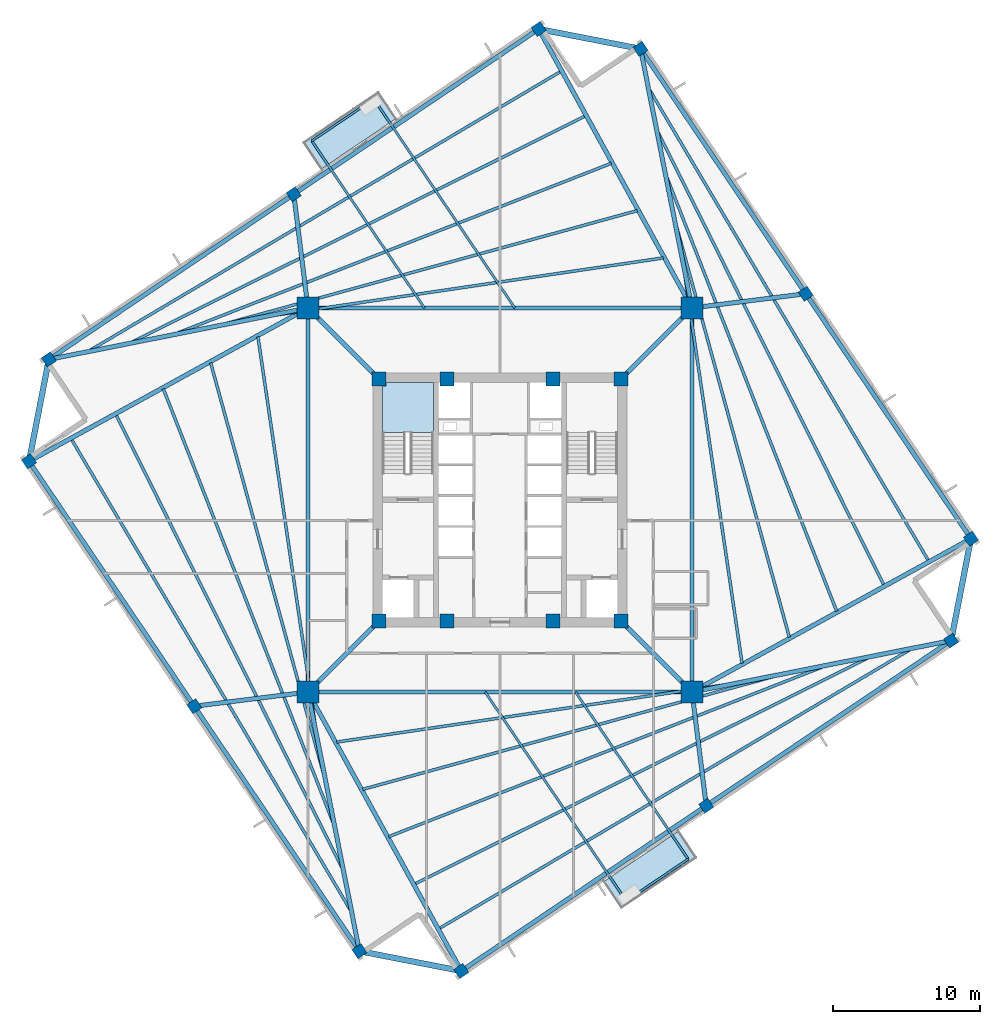
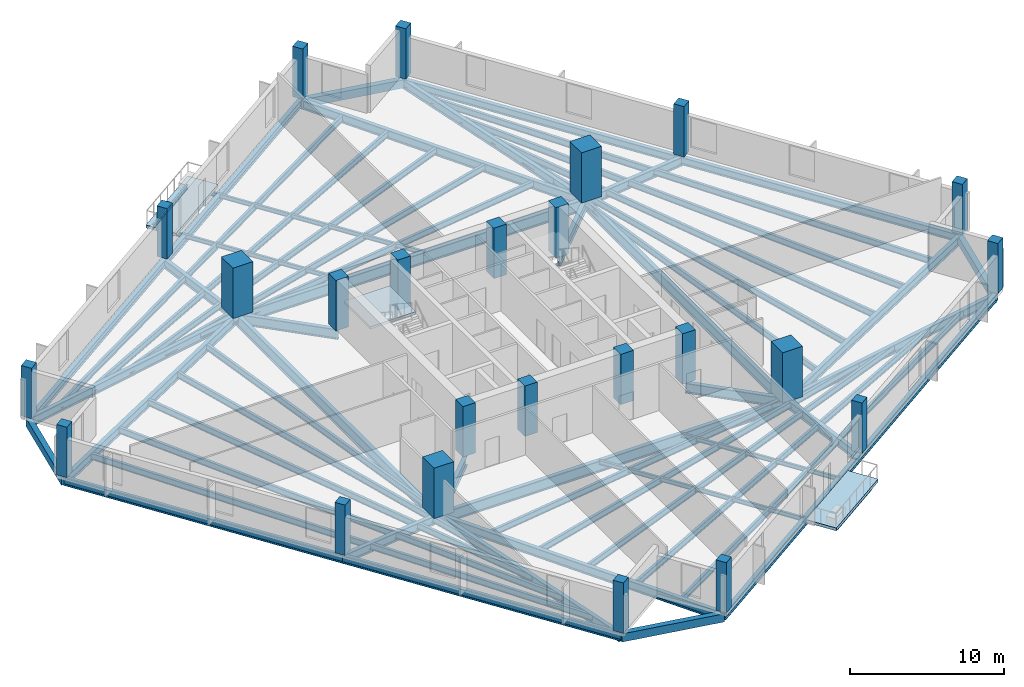
# One storey, part 1 of 8: 58 beams, 24 columns, 3 slabs, 1 element without a shape of its own.
"""IFC4 building model written with IfcOpenShell, lengths in metres."""

import ifcopenshell
import ifcopenshell.guid

model = None  # the IFC model being written
_history = None  # IfcOwnerHistory: only IFC2X3 demands one
_inside = {}  # id of a spatial element -> (the spatial element, [elements in it])
_under = {}  # id of a project, library or spatial element -> (it, [spatial elements below it])
_declared = {}  # id of a project -> (the project, [libraries it declares])
_typed = {}  # id of a type object -> (the type object, [elements of that type])
_made_of = {}  # id of a material, layer set ... -> (it, [elements and type objects made of it])


def new_model(schema):
    """Start an empty IFC model of exactly this schema.

    Asked for "IFC4X3", IfcOpenShell would pick the latest addendum, in which some entities
    have other attributes; the version numbers below select the first issue.
    IFC2X3 requires an IfcOwnerHistory on every rooted entity: one is made here for all.
    """
    global model, _history
    if schema == "IFC4X3":
        model = ifcopenshell.file(schema_version=(4, 3, 0, 0))
    else:
        model = ifcopenshell.file(schema=schema)
    _inside.clear()
    _under.clear()
    _declared.clear()
    _typed.clear()
    _made_of.clear()
    _history = None
    if model.schema == "IFC2X3":
        org = make("IfcOrganization", Name="unknown")
        user = make(
            "IfcPersonAndOrganization",
            ThePerson=make("IfcPerson", FamilyName="unknown"),
            TheOrganization=org,
        )
        app = make(
            "IfcApplication",
            ApplicationDeveloper=org,
            Version="unknown",
            ApplicationFullName="unknown",
            ApplicationIdentifier="unknown",
        )
        _history = make(
            "IfcOwnerHistory",
            OwningUser=user,
            OwningApplication=app,
            ChangeAction="ADDED",
            CreationDate=0,
        )
    return model


def make(cls, **values):
    """One entity of the class cls with the attributes given. An attribute that is None is left unset."""
    return model.create_entity(
        cls, **{name: value for name, value in values.items() if value is not None}
    )


def rooted(cls, **values):
    """An entity with a GlobalId (a new one), such as an element, a storey or a relation."""
    return make(cls, GlobalId=ifcopenshell.guid.new(), OwnerHistory=_history, **values)


def si_unit(unit_type, name, prefix=None):
    """IfcSIUnit, for example si_unit("LENGTHUNIT", "METRE", prefix="MILLI")."""
    return make("IfcSIUnit", UnitType=unit_type, Prefix=prefix, Name=name)


def assignment(units):
    """IfcUnitAssignment: the units of a project."""
    return None if units is None else make("IfcUnitAssignment", Units=units)


def point(xyz):
    """IfcCartesianPoint."""
    return None if xyz is None else make("IfcCartesianPoint", Coordinates=xyz)


def direction(xyz):
    """IfcDirection."""
    return None if xyz is None else make("IfcDirection", DirectionRatios=xyz)


def frame(location, z_axis=None, x_axis=None):
    """IfcAxis2Placement3D, a coordinate frame: its origin and axes. An axis left out is left unset."""
    return make(
        "IfcAxis2Placement3D",
        Location=point(location),
        Axis=direction(z_axis),
        RefDirection=direction(x_axis),
    )


def frame_2d(location, x_axis=None):
    """IfcAxis2Placement2D, a coordinate frame in the plane: its origin and x axis."""
    return make(
        "IfcAxis2Placement2D", Location=point(location), RefDirection=direction(x_axis)
    )


def origin():
    """The frame at (0, 0, 0) with its axes left unset."""
    return frame((0.0, 0.0, 0.0))


def origin_2d():
    """The frame at (0, 0) in the plane with its x axis left unset."""
    return frame_2d((0.0, 0.0))


def place(relative_to, where):
    """IfcLocalPlacement: puts the frame where relative to a parent placement (None: the world)."""
    return make(
        "IfcLocalPlacement", PlacementRelTo=relative_to, RelativePlacement=where
    )


def context(
    kind, dimensions, precision=None, world=None, true_north=None, identifier=None
):
    """IfcGeometricRepresentationContext, for example the 3D "Model" context."""
    return make(
        "IfcGeometricRepresentationContext",
        ContextIdentifier=identifier,
        ContextType=kind,
        CoordinateSpaceDimension=dimensions,
        Precision=precision,
        WorldCoordinateSystem=world,
        TrueNorth=true_north,
    )


def subcontext(parent, identifier, kind, view, scale=None):
    """IfcGeometricRepresentationSubContext, for example "Body" below "Model"."""
    return make(
        "IfcGeometricRepresentationSubContext",
        ContextIdentifier=identifier,
        ContextType=kind,
        ParentContext=parent,
        TargetScale=scale,
        TargetView=view,
    )


def project(units=None, contexts=None):
    """IfcProject with its units and contexts."""
    return rooted(
        "IfcProject",
        Name="project",
        RepresentationContexts=contexts,
        UnitsInContext=assignment(units),
    )


def spatial(cls, under=None, at=None, **own):
    """A site, building, storey or space (cls), placed at a placement, below another one or the project."""
    s = rooted(cls, ObjectPlacement=at, **own)
    if under is not None:
        _under.setdefault(under.id(), (under, []))[1].append(s)
    return s


def polyline(points):
    """IfcPolyline through the points."""
    return make("IfcPolyline", Points=[point(p) for p in points])


def profile(cls, at=None, kind="AREA", **sizes):
    """A parametric profile (cls). Its sizes go by their IFC names, for example OverallWidth=200.0."""
    return make(cls, ProfileType=kind, Position=at, **sizes)


def rectangle(**sizes):
    """IfcRectangleProfileDef."""
    return profile("IfcRectangleProfileDef", **sizes)


def i_section(**sizes):
    """IfcIShapeProfileDef."""
    return profile("IfcIShapeProfileDef", **sizes)


def outline(outer, holes=None, kind="AREA"):
    """IfcArbitraryClosedProfileDef: a profile drawn as a closed curve; with holes, ...WithVoids."""
    if holes is None:
        return make("IfcArbitraryClosedProfileDef", ProfileType=kind, OuterCurve=outer)
    return make(
        "IfcArbitraryProfileDefWithVoids",
        ProfileType=kind,
        OuterCurve=outer,
        InnerCurves=holes,
    )


def extrude(swept, where, along, depth):
    """IfcExtrudedAreaSolid: the profile swept, set in the frame where, extruded along a direction by depth."""
    return make(
        "IfcExtrudedAreaSolid",
        SweptArea=swept,
        Position=where,
        ExtrudedDirection=direction(along),
        Depth=depth,
    )


def shape(context_of_items, identifier, shape_type, items):
    """IfcShapeRepresentation: the items that make up one representation, for example the "Body"."""
    return make(
        "IfcShapeRepresentation",
        ContextOfItems=context_of_items,
        RepresentationIdentifier=identifier,
        RepresentationType=shape_type,
        Items=items,
    )


def source(mapping_origin, context_of_items, identifier, shape_type, items):
    """IfcRepresentationMap: a shape defined once, which mapped items show again and again."""
    return make(
        "IfcRepresentationMap",
        MappingOrigin=mapping_origin,
        MappedRepresentation=shape(context_of_items, identifier, shape_type, items),
    )


def transform(
    local_origin,
    x_axis=None,
    y_axis=None,
    z_axis=None,
    scale=None,
    scale2=None,
    scale3=None,
    uniform=True,
):
    """IfcCartesianTransformationOperator3D, or its non-uniform kind. x_axis, y_axis, z_axis: its Axis1, 2, 3."""
    if uniform:
        return make(
            "IfcCartesianTransformationOperator3D",
            Axis1=direction(x_axis),
            Axis2=direction(y_axis),
            LocalOrigin=point(local_origin),
            Scale=scale,
            Axis3=direction(z_axis),
        )
    return make(
        "IfcCartesianTransformationOperator3DnonUniform",
        Axis1=direction(x_axis),
        Axis2=direction(y_axis),
        LocalOrigin=point(local_origin),
        Scale=scale,
        Axis3=direction(z_axis),
        Scale2=scale2,
        Scale3=scale3,
    )


def mapped(mapping_source, mapping_target):
    """IfcMappedItem: shows the shape of a source again, moved by a transform."""
    return make(
        "IfcMappedItem", MappingSource=mapping_source, MappingTarget=mapping_target
    )


def material(Name=None, Category=None):
    """IfcMaterial."""
    return make("IfcMaterial", Name=Name, Category=Category)


def layer(
    of_material, thickness, ventilated=None, Name=None, Category=None, Priority=None
):
    """IfcMaterialLayer: one layer of a wall or slab, of a material (None: an air gap)."""
    return make(
        "IfcMaterialLayer",
        Material=of_material,
        LayerThickness=thickness,
        IsVentilated=ventilated,
        Name=Name,
        Category=Category,
        Priority=Priority,
    )


def layer_set(layers, Name=None):
    """IfcMaterialLayerSet."""
    return make("IfcMaterialLayerSet", MaterialLayers=layers, LayerSetName=Name)


def material_profile(
    of_material, cross_section, Name=None, Category=None, Priority=None
):
    """IfcMaterialProfile: a cross section and its material."""
    return make(
        "IfcMaterialProfile",
        Name=Name,
        Material=of_material,
        Profile=cross_section,
        Priority=Priority,
        Category=Category,
    )


def profile_set(profiles, Name=None, composite=None):
    """IfcMaterialProfileSet."""
    return make(
        "IfcMaterialProfileSet",
        Name=Name,
        MaterialProfiles=profiles,
        CompositeProfile=composite,
    )


def made_of(thing, what):
    """Note that an element or type object is made of a material, layer set ...; save() writes the relation."""
    if what is not None:
        _made_of.setdefault(what.id(), (what, []))[1].append(thing)
    return thing


def type_object(cls, material=None, **own):
    """A type object (cls), such as IfcWallType, which elements share."""
    return made_of(rooted(cls, **own), material)


def element(
    cls,
    number,
    at=None,
    inside=None,
    cuts=None,
    type_object=None,
    material=None,
    context=None,
    identifier="Body",
    shape_type=None,
    held_by="IfcProductDefinitionShape",
    body=None,
    shapes=None,
    **own,
):
    """One element of the class cls, such as IfcWall. Its Tag is "e" and its number.

    at: its placement. inside: the storey or other place that contains it. cuts: it is an
    opening in that element (IfcRelVoidsElement). A single representation is given by context,
    identifier, shape_type and body (its items); several are given by shapes. held_by: the class
    of the entity that holds the representations. save() writes the other relations.
    """
    e = rooted(cls, Tag="e%d" % number, ObjectPlacement=at, **own)
    if body is not None:
        shapes = [shape(context, identifier, shape_type, body)]
    if shapes is not None:
        e.Representation = make(held_by, Representations=shapes)
    if inside is not None:
        _inside.setdefault(inside.id(), (inside, []))[1].append(e)
    if cuts is not None:
        rooted(
            "IfcRelVoidsElement", RelatingBuildingElement=cuts, RelatedOpeningElement=e
        )
    if type_object is not None:
        _typed.setdefault(type_object.id(), (type_object, []))[1].append(e)
    return made_of(e, material)


def aggregate(whole, parts):
    """IfcRelAggregates: a whole, such as a stair, and the parts it consists of."""
    return rooted("IfcRelAggregates", RelatingObject=whole, RelatedObjects=parts)


def save(model, path):
    """Write the relations noted so far, then the file.

    IfcRelAggregates (storeys below a building ...), IfcRelContainedInSpatialStructure (elements
    in a storey), IfcRelDefinesByType, IfcRelAssociatesMaterial and IfcRelDeclares: one each for
    every whole, place, type object, material and project.
    """
    for whole, parts in _under.values():
        aggregate(whole, parts)
    for where, things in _inside.values():
        rooted(
            "IfcRelContainedInSpatialStructure",
            RelatedElements=things,
            RelatingStructure=where,
        )
    for kind, things in _typed.values():
        rooted("IfcRelDefinesByType", RelatedObjects=things, RelatingType=kind)
    for what, things in _made_of.values():
        rooted("IfcRelAssociatesMaterial", RelatedObjects=things, RelatingMaterial=what)
    for by, libraries in _declared.values():
        rooted("IfcRelDeclares", RelatingContext=by, RelatedDefinitions=libraries)
    model.write(path)


model = new_model("IFC4")

# Units and contexts
model_context = context("Model", 3, precision=1e-05, world=origin(), true_north=direction((0.0, 1.0)))
body_context = subcontext(model_context, "Body", "Model", "MODEL_VIEW")
ifc_project = project(units=[si_unit("LENGTHUNIT", "METRE"), si_unit("AREAUNIT", "SQUARE_METRE"), si_unit("VOLUMEUNIT", "CUBIC_METRE"), si_unit("PLANEANGLEUNIT", "RADIAN"), si_unit("MASSUNIT", "GRAM", prefix="KILO"), si_unit("THERMODYNAMICTEMPERATUREUNIT", "KELVIN")], contexts=[model_context])

# Site, building, storey
site_placement = place(None, origin())
site = spatial("IfcSite", under=ifc_project, at=site_placement, CompositionType="ELEMENT")
building_placement = place(site_placement, origin())
building = spatial("IfcBuilding", under=site, at=building_placement, Name="Kosmvard Interchange Tower", CompositionType="ELEMENT")
storey_placement = place(building_placement, frame((0.0, 0.0, 152.39990234375)))
storey = spatial("IfcBuildingStorey", under=building, at=storey_placement, Name="L36", CompositionType="ELEMENT", Elevation=152.39990234375)

# Columns
ifc_material_1 = material(Name="Concrete C60/75", Category="concrete")
ifc_material_profile_1 = material_profile(ifc_material_1, rectangle(XDim=0.949951171875, YDim=0.949951171875, at=origin_2d()), Name="CP 950x950")
ifc_profile_set_1 = profile_set([ifc_material_profile_1], Name="Concrete C60/75")
column_type_1 = type_object("IfcColumnType", Name="Core Boundary Pilaster 950x950 C60/75", PredefinedType="PILASTER", material=ifc_profile_set_1)
shared_shape_1 = source(origin(), body_context, "Body", "SweptSolid", [
    extrude(rectangle(XDim=0.949951171875, YDim=0.949951171875, at=origin_2d()), origin(), (0.0, 0.0, 1.0), 4.0),
])
for number, where, z_axis, x_axis, name in (
    (1, (-8.25, -8.25, 0.0), (0.0, 0.0, 1.0), (1.0, 0.0, 0.0), "L36 Core Pilaster CP1"),
    (2, (8.25, -8.25, 0.0), (0.0, 0.0, 1.0), (1.0, 0.0, 0.0), "L36 Core Pilaster CP2"),
    (3, (8.25, 8.25, 0.0), (0.0, 0.0, 1.0), (1.0, 0.0, 0.0), "L36 Core Pilaster CP3"),
    (4, (-8.25, 8.25, 0.0), (0.0, 0.0, 1.0), (1.0, 0.0, 0.0), "L36 Core Pilaster CP4"),
    (5, (-3.60009765625, -8.25, 0.0), (0.0, 0.0, 1.0), (1.0, 0.0, 0.0), "L36 Core Pilaster CP5"),
    (6, (3.60009765625, -8.25, 0.0), (0.0, 0.0, 1.0), (1.0, 0.0, 0.0), "L36 Core Pilaster CP6"),
    (7, (-3.60009765625, 8.25, 0.0), (0.0, 0.0, 1.0), (1.0, 0.0, 0.0), "L36 Core Pilaster CP7"),
    (8, (3.60009765625, 8.25, 0.0), (0.0, 0.0, 1.0), (1.0, 0.0, 0.0), "L36 Core Pilaster CP8"),
):
    element("IfcColumn", number, at=place(storey_placement, frame(where, z_axis=z_axis, x_axis=x_axis)), inside=storey, type_object=column_type_1, Name=name, PredefinedType="PILASTER", context=body_context, shape_type="MappedRepresentation", body=[
        mapped(shared_shape_1, transform((0.0, 0.0, 0.0), scale=1.0)),
    ])
ifc_material_profile_2 = material_profile(ifc_material_1, rectangle(XDim=1.5, YDim=1.5, at=origin_2d()), Name="MC 1500x1500")
ifc_profile_set_2 = profile_set([ifc_material_profile_2], Name="Concrete C60/75")
column_type_2 = type_object("IfcColumnType", Name="Composite Mega-Column 1500x1500 C60/75", PredefinedType="COLUMN", material=ifc_profile_set_2)
shared_shape_2 = source(origin(), body_context, "Body", "SweptSolid", [
    extrude(rectangle(XDim=1.5, YDim=1.5, at=origin_2d()), origin(), (0.0, 0.0, 1.0), 4.0),
])
for number, where, z_axis, x_axis, name in (
    (9, (-13.0810546875, -13.0810546875, 0.0), (0.0, 0.0, 1.0), (1.0, 0.0, 0.0), "L36 Corner Mega-Column MC1"),
    (10, (13.0810546875, -13.0810546875, 0.0), (0.0, 0.0, 1.0), (1.0, 0.0, 0.0), "L36 Corner Mega-Column MC2"),
    (11, (13.0810546875, 13.0810546875, 0.0), (0.0, 0.0, 1.0), (1.0, 0.0, 0.0), "L36 Corner Mega-Column MC3"),
    (12, (-13.0810546875, 13.0810546875, 0.0), (0.0, 0.0, 1.0), (1.0, 0.0, 0.0), "L36 Corner Mega-Column MC4"),
):
    element("IfcColumn", number, at=place(storey_placement, frame(where, z_axis=z_axis, x_axis=x_axis)), inside=storey, type_object=column_type_2, Name=name, PredefinedType="COLUMN", context=body_context, shape_type="MappedRepresentation", body=[
        mapped(shared_shape_2, transform((0.0, 0.0, 0.0), scale=1.0)),
    ])
ifc_material_2 = material(Name="Concrete C50/60", Category="concrete")
ifc_material_profile_3 = material_profile(ifc_material_2, rectangle(XDim=0.75, YDim=0.75, at=origin_2d()), Name="TC 750x750")
ifc_profile_set_3 = profile_set([ifc_material_profile_3], Name="Concrete C50/60")
column_type_3 = type_object("IfcColumnType", Name="Zone 3 Perimeter Pier Column 750x750 C50/60", PredefinedType="COLUMN", material=ifc_profile_set_3)
shared_shape_3 = source(origin(), body_context, "Body", "SweptSolid", [
    extrude(rectangle(XDim=0.75, YDim=0.75, at=origin_2d()), origin(), (0.0, 0.0, 1.0), 4.0),
])
for number, where, z_axis, x_axis, name in (
    (13, (-2.634765625, -32.083251953125, 0.0), (0.0, 0.0, 1.0), (0.829037572555, 0.559192903471, 0.0), "L36 Perimeter Pier Column TC-S1"),
    (14, (14.0498046875, -20.82958984375, 0.0), (0.0, 0.0, 1.0), (0.829037572555, 0.559192903471, 0.0), "L36 Perimeter Pier Column TC-S2"),
    (15, (30.734130859375, -9.575927734375, 0.0), (0.0, 0.0, 1.0), (0.829037572555, 0.559192903471, 0.0), "L36 Perimeter Pier Column TC-S3"),
    (16, (32.083251953125, -2.634765625, 0.0), (0.0, 0.0, 1.0), (0.829037572555, 0.559192903471, 0.0), "L36 Perimeter Pier Column TC-E1"),
    (17, (20.82958984375, 14.0498046875, 0.0), (0.0, 0.0, 1.0), (0.829037572555, 0.559192903471, 0.0), "L36 Perimeter Pier Column TC-E2"),
    (18, (9.575927734375, 30.734130859375, 0.0), (0.0, 0.0, 1.0), (0.829037572555, 0.559192903471, 0.0), "L36 Perimeter Pier Column TC-E3"),
    (19, (2.634765625, 32.083251953125, 0.0), (0.0, 0.0, 1.0), (0.829037572555, 0.559192903471, 0.0), "L36 Perimeter Pier Column TC-N1"),
    (20, (-14.0498046875, 20.82958984375, 0.0), (0.0, 0.0, 1.0), (0.829037572555, 0.559192903471, 0.0), "L36 Perimeter Pier Column TC-N2"),
    (21, (-30.734130859375, 9.575927734375, 0.0), (0.0, 0.0, 1.0), (0.829037572555, 0.559192903471, 0.0), "L36 Perimeter Pier Column TC-N3"),
    (22, (-32.083251953125, 2.634765625, 0.0), (0.0, 0.0, 1.0), (0.829037572555, 0.559192903471, 0.0), "L36 Perimeter Pier Column TC-W1"),
    (23, (-20.82958984375, -14.0498046875, 0.0), (0.0, 0.0, 1.0), (0.829037572555, 0.559192903471, 0.0), "L36 Perimeter Pier Column TC-W2"),
    (24, (-9.575927734375, -30.734130859375, 0.0), (0.0, 0.0, 1.0), (0.829037572555, 0.559192903471, 0.0), "L36 Perimeter Pier Column TC-W3"),
):
    element("IfcColumn", number, at=place(storey_placement, frame(where, z_axis=z_axis, x_axis=x_axis)), inside=storey, type_object=column_type_3, Name=name, PredefinedType="COLUMN", context=body_context, shape_type="MappedRepresentation", body=[
        mapped(shared_shape_3, transform((0.0, 0.0, 0.0), scale=1.0)),
    ])

# Beams
ifc_material_3 = material(Name="Steel S355", Category="steel")
ifc_material_profile_4 = material_profile(ifc_material_3, i_section(OverallWidth=0.14990234375, OverallDepth=0.300048828125, WebThickness=0.007080078125, FlangeThickness=0.0107421875, FilletRadius=0.014892578125, at=origin_2d()), Name="IPE 300")
ifc_profile_set_4 = profile_set([ifc_material_profile_4], Name="Steel S355")
beam_type_1 = type_object("IfcBeamType", Name="Balcony Edge Header Joist IPE 300 S355", PredefinedType="JOIST", material=ifc_profile_set_4)
shared_shape_4 = source(origin(), body_context, "Body", "SweptSolid", [
    extrude(i_section(OverallWidth=0.14990234375, OverallDepth=0.300048828125, WebThickness=0.007080078125, FlangeThickness=0.0107421875, FilletRadius=0.014892578125, at=origin_2d()), origin(), (0.0, 0.0, 1.0), 5.099853515625),
])
for number, where, z_axis, x_axis, name in (
    (25, (-8.59326171875, 27.314453125, -0.409912109375), (-0.82904064614, -0.559188346666, 0.0), (0.559188346666, -0.82904064614, 0.0), "BM-L36-BJH1"),
    (26, (8.59326171875, -27.314453125, -0.409912109375), (0.82904064614, 0.559188346666, 0.0), (-0.559188346666, 0.82904064614, 0.0), "BM-L36-BJH2"),
):
    element("IfcBeam", number, at=place(storey_placement, frame(where, z_axis=z_axis, x_axis=x_axis)), inside=storey, type_object=beam_type_1, Name=name, PredefinedType="JOIST", context=body_context, shape_type="MappedRepresentation", body=[
        mapped(shared_shape_4, transform((0.0, 0.0, 0.0), scale=1.0)),
    ])
ifc_material_profile_5 = material_profile(ifc_material_3, i_section(OverallWidth=0.300048828125, OverallDepth=0.800048828125, WebThickness=0.017578125, FlangeThickness=0.032958984375, FilletRadius=0.027099609375, at=origin_2d()), Name="HEB 800")
ifc_profile_set_5 = profile_set([ifc_material_profile_5], Name="Steel S355")
beam_type_2 = type_object("IfcBeamType", Name="Primary Mega-Frame Girder HEB 800 S355", PredefinedType="BEAM", material=ifc_profile_set_5)
shared_shape_5 = source(origin(), body_context, "Body", "SweptSolid", [
    extrude(i_section(OverallWidth=0.300048828125, OverallDepth=0.800048828125, WebThickness=0.017578125, FlangeThickness=0.032958984375, FilletRadius=0.027099609375, at=origin_2d()), origin(), (0.0, 0.0, 1.0), 6.83203125),
])
for number, where, z_axis, x_axis, name in (
    (27, (-8.25, -8.25, -0.659912109375), (-0.707106781187, -0.707106781187, 0.0), (0.707106781187, -0.707106781187, 0.0), "L36 Radial Mega-Frame Girder 1"),
    (28, (8.25, -8.25, -0.659912109375), (0.707106781187, -0.707106781187, 0.0), (0.707106781187, 0.707106781187, 0.0), "L36 Radial Mega-Frame Girder 2"),
    (29, (8.25, 8.25, -0.659912109375), (0.707106781187, 0.707106781187, 0.0), (-0.707106781187, 0.707106781187, 0.0), "L36 Radial Mega-Frame Girder 3"),
    (30, (-8.25, 8.25, -0.659912109375), (-0.707106781187, 0.707106781187, 0.0), (-0.707106781187, -0.707106781187, 0.0), "L36 Radial Mega-Frame Girder 4"),
):
    element("IfcBeam", number, at=place(storey_placement, frame(where, z_axis=z_axis, x_axis=x_axis)), inside=storey, type_object=beam_type_2, Name=name, PredefinedType="BEAM", context=body_context, shape_type="MappedRepresentation", body=[
        mapped(shared_shape_5, transform((0.0, 0.0, 0.0), scale=1.0)),
    ])
ifc_material_profile_6 = material_profile(ifc_material_3, i_section(OverallWidth=0.300048828125, OverallDepth=0.89990234375, WebThickness=0.0185546875, FlangeThickness=0.034912109375, FilletRadius=0.030029296875, at=origin_2d()), Name="HEB 900")
ifc_profile_set_6 = profile_set([ifc_material_profile_6], Name="Steel S355")
beam_type_3 = type_object("IfcBeamType", Name="Mega-Column Ring Girder HEB 900 S355", PredefinedType="BEAM", material=ifc_profile_set_6)
shared_shape_6 = source(origin(), body_context, "Body", "SweptSolid", [
    extrude(i_section(OverallWidth=0.300048828125, OverallDepth=0.89990234375, WebThickness=0.0185546875, FlangeThickness=0.034912109375, FilletRadius=0.030029296875, at=origin_2d()), origin(), (0.0, 0.0, 1.0), 26.162109375),
])
for number, where, z_axis, x_axis, name in (
    (31, (-13.0810546875, -13.0810546875, -0.7099609375), (1.0, 0.0, 0.0), (0.0, 1.0, 0.0), "L36 Mega-Column Ring Girder 1"),
    (32, (13.0810546875, -13.0810546875, -0.7099609375), (0.0, 1.0, 0.0), (-1.0, 0.0, 0.0), "L36 Mega-Column Ring Girder 2"),
    (33, (13.0810546875, 13.0810546875, -0.7099609375), (-1.0, 0.0, 0.0), (0.0, -1.0, 0.0), "L36 Mega-Column Ring Girder 3"),
    (34, (-13.0810546875, 13.0810546875, -0.7099609375), (0.0, -1.0, 0.0), (1.0, 0.0, 0.0), "L36 Mega-Column Ring Girder 4"),
):
    element("IfcBeam", number, at=place(storey_placement, frame(where, z_axis=z_axis, x_axis=x_axis)), inside=storey, type_object=beam_type_3, Name=name, PredefinedType="BEAM", context=body_context, shape_type="MappedRepresentation", body=[
        mapped(shared_shape_6, transform((0.0, 0.0, 0.0), scale=1.0)),
    ])
ifc_material_profile_7 = material_profile(ifc_material_3, i_section(OverallWidth=0.300048828125, OverallDepth=0.60009765625, WebThickness=0.015380859375, FlangeThickness=0.030029296875, FilletRadius=0.027099609375, at=origin_2d()), Name="HEB 600")
ifc_profile_set_7 = profile_set([ifc_material_profile_7], Name="Steel S355")
beam_type_4 = type_object("IfcBeamType", Name="Perimeter Tie Girder HEB 600 S355", PredefinedType="BEAM", material=ifc_profile_set_7)
shared_shape_7 = source(origin(), body_context, "Body", "SweptSolid", [
    extrude(i_section(OverallWidth=0.300048828125, OverallDepth=0.60009765625, WebThickness=0.015380859375, FlangeThickness=0.030029296875, FilletRadius=0.027099609375, at=origin_2d()), origin(), (0.0, 0.0, 1.0), 20.125),
])
for number, where, z_axis, x_axis, name in (
    (35, (-2.634765625, -32.083251953125, -0.559814453125), (0.82904270175, 0.559185299051, 0.0), (-0.559185299051, 0.82904270175, 0.0), "BM-L36-PR01"),
    (36, (14.0498046875, -20.82958984375, -0.559814453125), (0.829038908426, 0.559190922956, 0.0), (-0.559190922956, 0.829038908426, 0.0), "BM-L36-PR02"),
    (37, (32.083251953125, -2.634765625, -0.559814453125), (-0.559185299051, 0.82904270175, 0.0), (-0.82904270175, -0.559185299051, 0.0), "BM-L36-PR04"),
    (38, (20.82958984375, 14.0498046875, -0.559814453125), (-0.559190922956, 0.829038908426, 0.0), (-0.829038908426, -0.559190922956, 0.0), "BM-L36-PR05"),
    (39, (2.634765625, 32.083251953125, -0.559814453125), (-0.82904270175, -0.559185299051, 0.0), (0.559185299051, -0.82904270175, 0.0), "BM-L36-PR07"),
    (40, (-14.0498046875, 20.82958984375, -0.559814453125), (-0.829038908426, -0.559190922956, 0.0), (0.559190922956, -0.829038908426, 0.0), "BM-L36-PR08"),
    (41, (-32.083251953125, 2.634765625, -0.559814453125), (0.559185299051, -0.82904270175, 0.0), (0.82904270175, 0.559185299051, 0.0), "BM-L36-PR10"),
    (42, (-20.82958984375, -14.0498046875, -0.559814453125), (0.559190922956, -0.829038908426, 0.0), (0.829038908426, 0.559190922956, 0.0), "BM-L36-PR11"),
):
    element("IfcBeam", number, at=place(storey_placement, frame(where, z_axis=z_axis, x_axis=x_axis)), inside=storey, type_object=beam_type_4, Name=name, PredefinedType="BEAM", context=body_context, shape_type="MappedRepresentation", body=[
        mapped(shared_shape_7, transform((0.0, 0.0, 0.0), scale=1.0)),
    ])
ifc_material_profile_8 = material_profile(ifc_material_3, i_section(OverallWidth=0.300048828125, OverallDepth=0.699951171875, WebThickness=0.01708984375, FlangeThickness=0.031982421875, FilletRadius=0.027099609375, at=origin_2d()), Name="HEB 700")
ifc_profile_set_8 = profile_set([ifc_material_profile_8], Name="Steel S355")
beam_type_5 = type_object("IfcBeamType", Name="Primary Floor Girder HEB 700 S355", PredefinedType="BEAM", material=ifc_profile_set_8)
shared_shape_8 = source(origin(), body_context, "Body", "SweptSolid", [
    extrude(i_section(OverallWidth=0.300048828125, OverallDepth=0.699951171875, WebThickness=0.01708984375, FlangeThickness=0.031982421875, FilletRadius=0.027099609375, at=origin_2d()), origin(), (0.0, 0.0, 1.0), 21.684326171875),
])
for number, where, z_axis, x_axis, name in (
    (43, (-13.0810546875, -13.0810546875, -0.60986328125), (0.48174456271, -0.876311689012, 0.0), (0.876311689012, 0.48174456271, 0.0), "BM-L36-RD01"),
    (44, (13.0810546875, -13.0810546875, -0.60986328125), (0.876311689012, 0.48174456271, 0.0), (-0.48174456271, 0.876311689012, 0.0), "BM-L36-RD04"),
    (45, (13.0810546875, 13.0810546875, -0.60986328125), (-0.48174456271, 0.876311689012, 0.0), (-0.876311689012, -0.48174456271, 0.0), "BM-L36-RD07"),
    (46, (-13.0810546875, 13.0810546875, -0.60986328125), (-0.876311689012, -0.48174456271, 0.0), (0.48174456271, -0.876311689012, 0.0), "BM-L36-RD10"),
):
    element("IfcBeam", number, at=place(storey_placement, frame(where, z_axis=z_axis, x_axis=x_axis)), inside=storey, type_object=beam_type_5, Name=name, PredefinedType="BEAM", context=body_context, shape_type="MappedRepresentation", body=[
        mapped(shared_shape_8, transform((0.0, 0.0, 0.0), scale=1.0)),
    ])
shared_shape_9 = source(origin(), body_context, "Body", "SweptSolid", [
    extrude(i_section(OverallWidth=0.300048828125, OverallDepth=0.699951171875, WebThickness=0.01708984375, FlangeThickness=0.031982421875, FilletRadius=0.027099609375, at=origin_2d()), origin(), (0.0, 0.0, 1.0), 7.808837890625),
])
for number, where, z_axis, x_axis, name in (
    (47, (13.0810546875, -13.0810546875, -0.60986328125), (0.12405782224, -0.992274990485, 0.0), (0.992274990485, 0.12405782224, 0.0), "BM-L36-RD02"),
    (48, (13.0810546875, 13.0810546875, -0.60986328125), (0.992274990485, 0.12405782224, 0.0), (-0.12405782224, 0.992274990485, 0.0), "BM-L36-RD05"),
    (49, (-13.0810546875, 13.0810546875, -0.60986328125), (-0.12405782224, 0.992274990485, 0.0), (-0.992274990485, -0.12405782224, 0.0), "BM-L36-RD08"),
    (50, (-13.0810546875, -13.0810546875, -0.60986328125), (-0.992274990485, -0.12405782224, 0.0), (0.12405782224, -0.992274990485, 0.0), "BM-L36-RD11"),
):
    element("IfcBeam", number, at=place(storey_placement, frame(where, z_axis=z_axis, x_axis=x_axis)), inside=storey, type_object=beam_type_5, Name=name, PredefinedType="BEAM", context=body_context, shape_type="MappedRepresentation", body=[
        mapped(shared_shape_9, transform((0.0, 0.0, 0.0), scale=1.0)),
    ])
ifc_material_4 = material(Name="Precast concrete C45/55", Category="concrete")
ifc_material_profile_9 = material_profile(ifc_material_4, rectangle(XDim=0.39990234375, YDim=0.64990234375, at=origin_2d()), Name="SL 400x650")
ifc_profile_set_9 = profile_set([ifc_material_profile_9], Name="Precast concrete C45/55")
beam_type_6 = type_object("IfcBeamType", Name="Precast Spandrel Lintel 400x650 C45/55", PredefinedType="LINTEL", material=ifc_profile_set_9)
shared_shape_10 = source(origin(), body_context, "Body", "SweptSolid", [
    extrude(rectangle(XDim=0.39990234375, YDim=0.64990234375, at=origin_2d()), origin(), (0.0, 0.0, 1.0), 7.071044921875),
])
for number, where, z_axis, x_axis, name in (
    (51, (30.734130859375, -9.575927734375, -0.5849609375), (0.190794803533, 0.981629941956, 0.0), (-0.981629941956, 0.190794803533, 0.0), "BM-L36-SL1"),
    (52, (9.575927734375, 30.734130859375, -0.5849609375), (-0.981629941956, 0.190794803533, 0.0), (-0.190794803533, -0.981629941956, 0.0), "BM-L36-SL2"),
    (53, (-30.734130859375, 9.575927734375, -0.5849609375), (-0.190794803533, -0.981629941956, 0.0), (0.981629941956, -0.190794803533, 0.0), "BM-L36-SL3"),
    (54, (-9.575927734375, -30.734130859375, -0.5849609375), (0.981629941956, -0.190794803533, 0.0), (0.190794803533, 0.981629941956, 0.0), "BM-L36-SL4"),
):
    element("IfcBeam", number, at=place(storey_placement, frame(where, z_axis=z_axis, x_axis=x_axis)), inside=storey, type_object=beam_type_6, Name=name, PredefinedType="LINTEL", context=body_context, shape_type="MappedRepresentation", body=[
        mapped(shared_shape_10, transform((0.0, 0.0, 0.0), scale=1.0)),
    ])
shared_shape_11 = source(origin(), body_context, "Body", "SweptSolid", [
    extrude(i_section(OverallWidth=0.300048828125, OverallDepth=0.699951171875, WebThickness=0.01708984375, FlangeThickness=0.031982421875, FilletRadius=0.027099609375, at=origin_2d()), origin(), (0.0, 0.0, 1.0), 17.997802734375),
])
for number, where, z_axis, x_axis, name in (
    (55, (13.0810546875, -13.0810546875, -0.60986328125), (0.980852075755, 0.194754218148, 0.0), (-0.194754218148, 0.980852075755, 0.0), "BM-L36-RD03"),
    (56, (13.0810546875, 13.0810546875, -0.60986328125), (-0.194754218148, 0.980852075755, 0.0), (-0.980852075755, -0.194754218148, 0.0), "BM-L36-RD06"),
    (57, (-13.0810546875, 13.0810546875, -0.60986328125), (-0.980852075755, -0.194754218148, 0.0), (0.194754218148, -0.980852075755, 0.0), "BM-L36-RD09"),
    (58, (-13.0810546875, -13.0810546875, -0.60986328125), (0.194754218148, -0.980852075755, 0.0), (0.980852075755, 0.194754218148, 0.0), "BM-L36-RD12"),
):
    element("IfcBeam", number, at=place(storey_placement, frame(where, z_axis=z_axis, x_axis=x_axis)), inside=storey, type_object=beam_type_5, Name=name, PredefinedType="BEAM", context=body_context, shape_type="MappedRepresentation", body=[
        mapped(shared_shape_11, transform((0.0, 0.0, 0.0), scale=1.0)),
    ])
ifc_material_profile_10 = material_profile(ifc_material_3, i_section(OverallWidth=0.199951171875, OverallDepth=0.5, WebThickness=0.01025390625, FlangeThickness=0.01611328125, FilletRadius=0.02099609375, at=origin_2d()), Name="IPE 500")
ifc_profile_set_10 = profile_set([ifc_material_profile_10], Name="Steel S355")
beam_type_7 = type_object("IfcBeamType", Name="Standard Floor Joist IPE 500 S355", PredefinedType="JOIST", material=ifc_profile_set_10)
shared_shape_12 = source(origin(), body_context, "Body", "SweptSolid", [
    extrude(i_section(OverallWidth=0.199951171875, OverallDepth=0.5, WebThickness=0.01025390625, FlangeThickness=0.01611328125, FilletRadius=0.02099609375, at=origin_2d()), origin(), (0.0, 0.0, 1.0), 27.5966796875),
])
for number, where, z_axis, x_axis, name in (
    (59, (-11.12158203125, -16.48974609375, -0.510009765625), (0.989290070387, 0.145962860463, 0.0), (-0.145962860463, 0.989290070387, 0.0), "BM-L36-FJ01"),
    (60, (16.48974609375, -11.12158203125, -0.510009765625), (-0.145962860463, 0.989290070387, 0.0), (-0.989290070387, -0.145962860463, 0.0), "BM-L36-FJ06"),
    (61, (11.12158203125, 16.48974609375, -0.510009765625), (-0.989290070387, -0.145962860463, 0.0), (0.145962860463, -0.989290070387, 0.0), "BM-L36-FJ11"),
    (62, (-16.48974609375, 11.12158203125, -0.510009765625), (0.145962860463, -0.989290070387, 0.0), (0.989290070387, 0.145962860463, 0.0), "BM-L36-FJ16"),
):
    element("IfcBeam", number, at=place(storey_placement, frame(where, z_axis=z_axis, x_axis=x_axis)), inside=storey, type_object=beam_type_7, Name=name, PredefinedType="JOIST", context=body_context, shape_type="MappedRepresentation", body=[
        mapped(shared_shape_12, transform((0.0, 0.0, 0.0), scale=1.0)),
    ])
shared_shape_13 = source(origin(), body_context, "Body", "SweptSolid", [
    extrude(i_section(OverallWidth=0.199951171875, OverallDepth=0.5, WebThickness=0.01025390625, FlangeThickness=0.01611328125, FilletRadius=0.02099609375, at=origin_2d()), origin(), (0.0, 0.0, 1.0), 29.58642578125),
])
for number, where, z_axis, x_axis, name in (
    (63, (-9.34765625, -19.710693359375, -0.510009765625), (0.964296527467, 0.264824861209, 0.0), (-0.264824861209, 0.964296527467, 0.0), "BM-L36-FJ02"),
    (64, (19.710693359375, -9.34765625, -0.510009765625), (-0.264824861209, 0.964296527467, 0.0), (-0.964296527467, -0.264824861209, 0.0), "BM-L36-FJ07"),
    (65, (9.34765625, 19.710693359375, -0.510009765625), (-0.964296527467, -0.264824861209, 0.0), (0.264824861209, -0.964296527467, 0.0), "BM-L36-FJ12"),
    (66, (-19.710693359375, 9.34765625, -0.510009765625), (0.264824861209, -0.964296527467, 0.0), (0.964296527467, 0.264824861209, 0.0), "BM-L36-FJ17"),
):
    element("IfcBeam", number, at=place(storey_placement, frame(where, z_axis=z_axis, x_axis=x_axis)), inside=storey, type_object=beam_type_7, Name=name, PredefinedType="JOIST", context=body_context, shape_type="MappedRepresentation", body=[
        mapped(shared_shape_13, transform((0.0, 0.0, 0.0), scale=1.0)),
    ])
shared_shape_14 = source(origin(), body_context, "Body", "SweptSolid", [
    extrude(i_section(OverallWidth=0.199951171875, OverallDepth=0.5, WebThickness=0.01025390625, FlangeThickness=0.01611328125, FilletRadius=0.02099609375, at=origin_2d()), origin(), (0.0, 0.0, 1.0), 31.9580078125),
])
for number, where, z_axis, x_axis, name in (
    (67, (-7.574462890625, -22.93310546875, -0.510009765625), (0.931239172846, 0.364408565976, 0.0), (-0.364408565976, 0.931239172846, 0.0), "BM-L36-FJ03"),
    (68, (22.93310546875, -7.574462890625, -0.510009765625), (-0.364408565976, 0.931239172846, 0.0), (-0.931239172846, -0.364408565976, 0.0), "BM-L36-FJ08"),
    (69, (7.574462890625, 22.93310546875, -0.510009765625), (-0.931239172846, -0.364408565976, 0.0), (0.364408565976, -0.931239172846, 0.0), "BM-L36-FJ13"),
    (70, (-22.93310546875, 7.574462890625, -0.510009765625), (0.364408565976, -0.931239172846, 0.0), (0.931239172846, 0.364408565976, 0.0), "BM-L36-FJ18"),
):
    element("IfcBeam", number, at=place(storey_placement, frame(where, z_axis=z_axis, x_axis=x_axis)), inside=storey, type_object=beam_type_7, Name=name, PredefinedType="JOIST", context=body_context, shape_type="MappedRepresentation", body=[
        mapped(shared_shape_14, transform((0.0, 0.0, 0.0), scale=1.0)),
    ])
shared_shape_15 = source(origin(), body_context, "Body", "SweptSolid", [
    extrude(i_section(OverallWidth=0.199951171875, OverallDepth=0.5, WebThickness=0.01025390625, FlangeThickness=0.01611328125, FilletRadius=0.02099609375, at=origin_2d()), origin(), (0.0, 0.0, 1.0), 34.633056640625),
])
for number, where, z_axis, x_axis, name in (
    (71, (-5.801513671875, -26.156982421875, -0.510009765625), (0.894853974707, 0.446359007921, 0.0), (-0.446359007921, 0.894853974707, 0.0), "BM-L36-FJ04"),
    (72, (26.156982421875, -5.801513671875, -0.510009765625), (-0.446359007921, 0.894853974707, 0.0), (-0.894853974707, -0.446359007921, 0.0), "BM-L36-FJ09"),
    (73, (5.801513671875, 26.156982421875, -0.510009765625), (-0.894853974707, -0.446359007921, 0.0), (0.446359007921, -0.894853974707, 0.0), "BM-L36-FJ14"),
    (74, (-26.156982421875, 5.801513671875, -0.510009765625), (0.446359007921, -0.894853974707, 0.0), (0.894853974707, 0.446359007921, 0.0), "BM-L36-FJ19"),
):
    element("IfcBeam", number, at=place(storey_placement, frame(where, z_axis=z_axis, x_axis=x_axis)), inside=storey, type_object=beam_type_7, Name=name, PredefinedType="JOIST", context=body_context, shape_type="MappedRepresentation", body=[
        mapped(shared_shape_15, transform((0.0, 0.0, 0.0), scale=1.0)),
    ])
shared_shape_16 = source(origin(), body_context, "Body", "SweptSolid", [
    extrude(i_section(OverallWidth=0.199951171875, OverallDepth=0.5, WebThickness=0.01025390625, FlangeThickness=0.01611328125, FilletRadius=0.02099609375, at=origin_2d()), origin(), (0.0, 0.0, 1.0), 37.3701171875),
])
for number, where, z_axis, x_axis, name in (
    (75, (-4.1328125, -29.192138671875, -0.510009765625), (0.860316577026, 0.509760127212, 0.0), (-0.509760127212, 0.860316577026, 0.0), "BM-L36-FJ05"),
    (76, (29.192138671875, -4.1328125, -0.510009765625), (-0.509760127212, 0.860316577026, 0.0), (-0.860316577026, -0.509760127212, 0.0), "BM-L36-FJ10"),
    (77, (4.1328125, 29.192138671875, -0.510009765625), (-0.860316577026, -0.509760127212, 0.0), (0.509760127212, -0.860316577026, 0.0), "BM-L36-FJ15"),
    (78, (-29.192138671875, 4.1328125, -0.510009765625), (0.509760127212, -0.860316577026, 0.0), (0.860316577026, 0.509760127212, 0.0), "BM-L36-FJ20"),
):
    element("IfcBeam", number, at=place(storey_placement, frame(where, z_axis=z_axis, x_axis=x_axis)), inside=storey, type_object=beam_type_7, Name=name, PredefinedType="JOIST", context=body_context, shape_type="MappedRepresentation", body=[
        mapped(shared_shape_16, transform((0.0, 0.0, 0.0), scale=1.0)),
    ])
ifc_material_profile_11 = material_profile(ifc_material_3, i_section(OverallWidth=0.159912109375, OverallDepth=0.330078125, WebThickness=0.007568359375, FlangeThickness=0.011474609375, FilletRadius=0.01806640625, at=origin_2d()), Name="IPE 330")
ifc_profile_set_11 = profile_set([ifc_material_profile_11], Name="Steel S355")
beam_type_8 = type_object("IfcBeamType", Name="Balcony Cantilever Joist IPE 330 S355", PredefinedType="JOIST", material=ifc_profile_set_11)
shared_shape_17 = source(origin(), body_context, "Body", "SweptSolid", [
    extrude(i_section(OverallWidth=0.159912109375, OverallDepth=0.330078125, WebThickness=0.007568359375, FlangeThickness=0.011474609375, FilletRadius=0.01806640625, at=origin_2d()), origin(), (0.0, 0.0, 1.0), 17.168701171875),
])
for number, where, z_axis, x_axis, name in (
    (79, (1.00732421875, 13.0810546875, -0.4248046875), (-0.559194403402, 0.829036560837, 0.0), (-0.829036560837, -0.559194403402, 0.0), "BM-L36-BJ1"),
    (80, (-1.00732421875, -13.0810546875, -0.4248046875), (0.559194403402, -0.829036560837, 0.0), (0.829036560837, 0.559194403402, 0.0), "BM-L36-BJ2"),
):
    element("IfcBeam", number, at=place(storey_placement, frame(where, z_axis=z_axis, x_axis=x_axis)), inside=storey, type_object=beam_type_8, Name=name, PredefinedType="JOIST", context=body_context, shape_type="MappedRepresentation", body=[
        mapped(shared_shape_17, transform((0.0, 0.0, 0.0), scale=1.0)),
    ])
shared_shape_18 = source(origin(), body_context, "Body", "SweptSolid", [
    extrude(i_section(OverallWidth=0.159912109375, OverallDepth=0.330078125, WebThickness=0.007568359375, FlangeThickness=0.011474609375, FilletRadius=0.01806640625, at=origin_2d()), origin(), (0.0, 0.0, 1.0), 13.728759765625),
])
for number, where, z_axis, x_axis, name in (
    (81, (-5.144287109375, 13.0810546875, -0.4248046875), (-0.559193972367, 0.829036851575, 0.0), (-0.829036851575, -0.559193972367, 0.0), "BM-L36-BJB1"),
    (82, (5.144287109375, -13.0810546875, -0.4248046875), (0.559193972367, -0.829036851575, 0.0), (0.829036851575, 0.559193972367, 0.0), "BM-L36-BJB2"),
):
    element("IfcBeam", number, at=place(storey_placement, frame(where, z_axis=z_axis, x_axis=x_axis)), inside=storey, type_object=beam_type_8, Name=name, PredefinedType="JOIST", context=body_context, shape_type="MappedRepresentation", body=[
        mapped(shared_shape_18, transform((0.0, 0.0, 0.0), scale=1.0)),
    ])

# Stair, slab
stair_type = type_object("IfcStairType", Name="Dog-Leg Core Exit Stair H4000 C50/60", PredefinedType="HALF_TURN_STAIR", material=ifc_material_2)
stair_placement = place(storey_placement, origin())
stair = element("IfcStair", 83, at=stair_placement, inside=storey, type_object=stair_type, Name="L36 Protected Exit Stair ST-1", PredefinedType="HALF_TURN_STAIR")
ifc_layer_1 = layer(ifc_material_2, 0.199951171875, Name="Concrete C50/60")
ifc_layer_set_1 = layer_set([ifc_layer_1], Name="Concrete C50/60")
slab_type_1 = type_object("IfcSlabType", Name="Stair Half-Landing Slab 200 C50/60", PredefinedType="LANDING", material=ifc_layer_set_1)
slab_1_placement = place(storey_placement, frame((0.0, 0.0, 1.800048828125)))
slab_1 = element("IfcSlab", 84, at=slab_1_placement, type_object=slab_type_1, Name="ST-1 landing 1", PredefinedType="LANDING", context=body_context, shape_type="SweptSolid", body=[
    extrude(outline(polyline([(-4.5400390625, 4.60009765625), (-4.5400390625, 8.0), (-8.0, 8.0), (-8.0, 4.60009765625), (-4.5400390625, 4.60009765625)])), origin(), (0.0, 0.0, 1.0), 0.199951171875),
])
aggregate(stair, [slab_1])

# Slabs
ifc_layer_2 = layer(ifc_material_2, 0.22998046875, Name="Concrete C50/60")
ifc_layer_set_2 = layer_set([ifc_layer_2], Name="Concrete C50/60")
slab_type_2 = type_object("IfcSlabType", Name="Tree-Planter Cantilever Balcony Slab 230 C50/60", PredefinedType="FLOOR", material=ifc_layer_set_2)
slab_2_placement = place(storey_placement, frame((0.0, 0.0, -0.22998046875)))
element("IfcSlab", 85, at=slab_2_placement, inside=storey, type_object=slab_type_2, Name="L36 Outdoor Terrace Balcony Slab BAL-L36-N", PredefinedType="FLOOR", context=body_context, shape_type="SweptSolid", body=[
    extrude(outline(polyline([(-12.186767578125, 22.538330078125), (-7.046875, 26.00537109375), (-8.277099609375, 27.829345703125), (-13.4169921875, 24.3623046875), (-12.186767578125, 22.538330078125)])), origin(), (0.0, 0.0, 1.0), 0.22998046875),
])
slab_3_placement = place(storey_placement, frame((0.0, 0.0, -0.22998046875)))
element("IfcSlab", 86, at=slab_3_placement, inside=storey, type_object=slab_type_2, Name="L36 Outdoor Terrace Balcony Slab BAL-L36-S", PredefinedType="FLOOR", context=body_context, shape_type="SweptSolid", body=[
    extrude(outline(polyline([(8.277099609375, -27.829345703125), (13.4169921875, -24.3623046875), (12.186767578125, -22.538330078125), (7.046875, -26.00537109375), (8.277099609375, -27.829345703125)])), origin(), (0.0, 0.0, 1.0), 0.22998046875),
])

save(model, "model.ifc")
